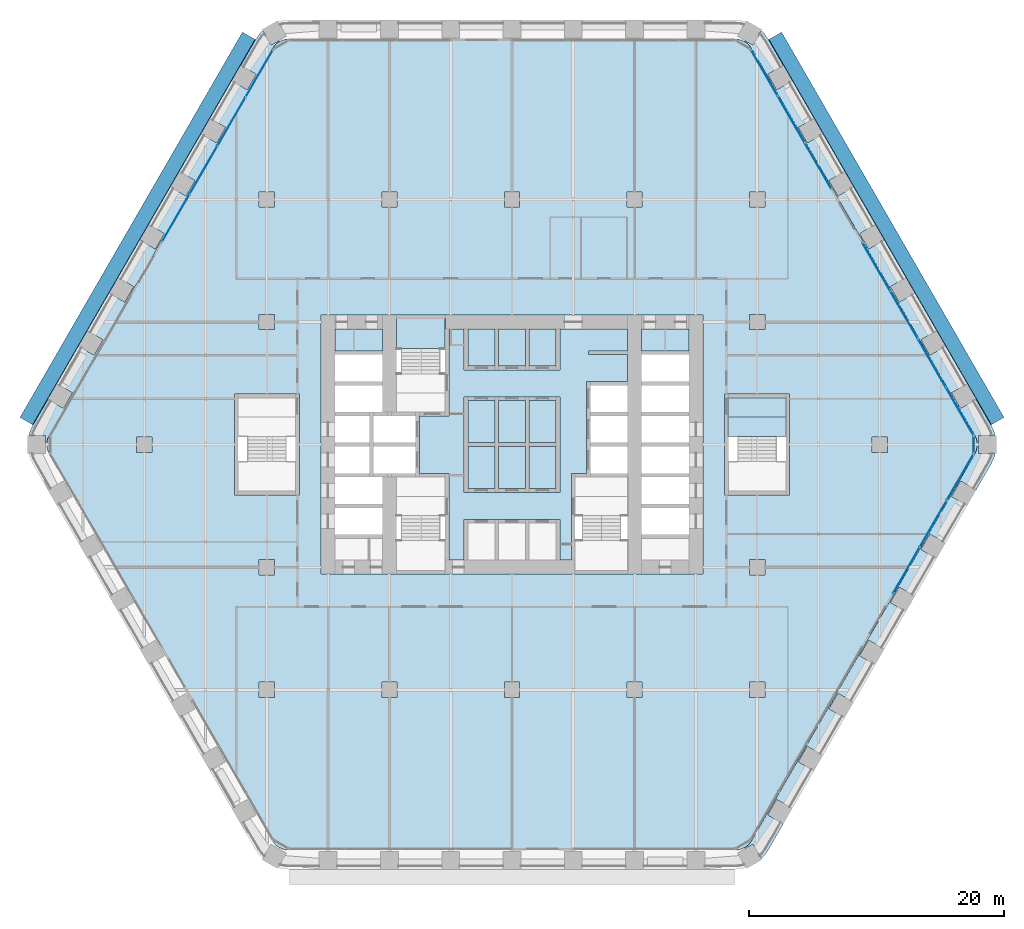
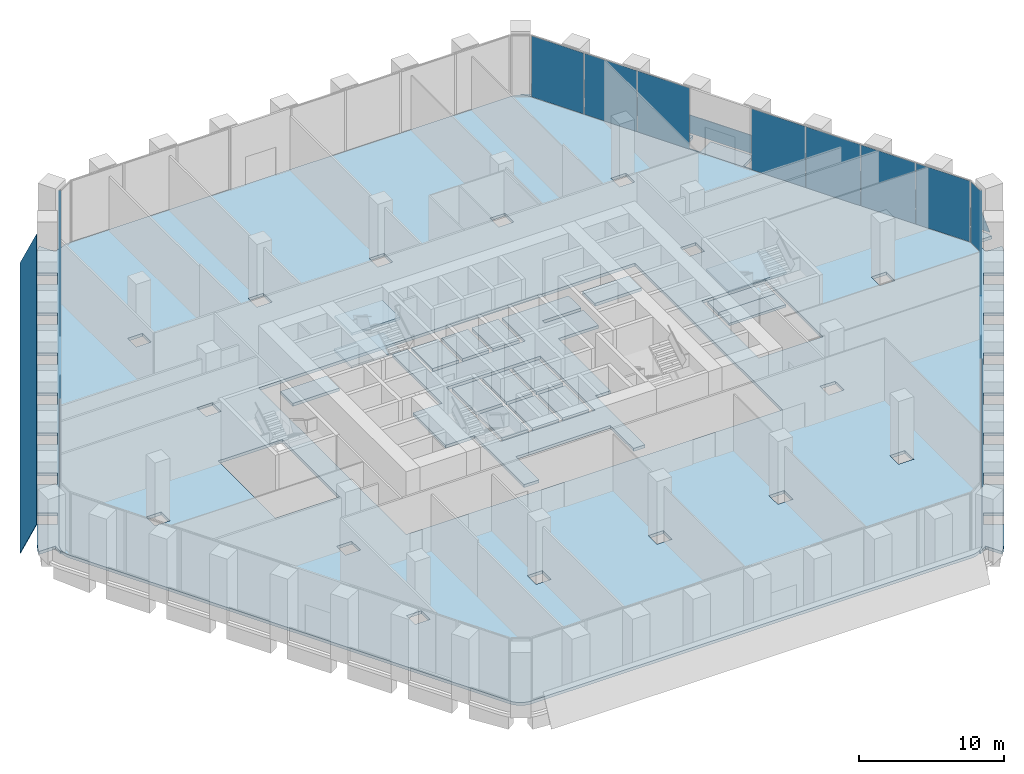
# One storey, part 16 of 27: 21 slabs, 17 plates, 7 elements without a shape of their own.
"""IFC4 building model written with IfcOpenShell, lengths in metres."""

from ifc_helpers import new_model, si_unit, direction, frame, origin, origin_2d, place, context, subcontext, project, spatial, polyline, rectangle, outline, extrude, material, layer, layer_set, type_object, element, aggregate, save


model = new_model("IFC4")

# Units and contexts
model_context = context("Model", 3, precision=1e-05, world=origin(), true_north=direction((0.0, 1.0)))
body_context = subcontext(model_context, "Body", "Model", "MODEL_VIEW")
ifc_project = project(units=[si_unit("LENGTHUNIT", "METRE"), si_unit("AREAUNIT", "SQUARE_METRE"), si_unit("VOLUMEUNIT", "CUBIC_METRE"), si_unit("PLANEANGLEUNIT", "RADIAN"), si_unit("MASSUNIT", "GRAM", prefix="KILO")], contexts=[model_context])

# Site, building, storey
site_placement = place(None, origin())
site = spatial("IfcSite", under=ifc_project, at=site_placement, CompositionType="ELEMENT")
building_placement = place(site_placement, origin())
building = spatial("IfcBuilding", under=site, at=building_placement, Name="Kolab Exchange Tower", CompositionType="ELEMENT")
storey_placement = place(building_placement, frame((0.0, 0.0, 27.89990234375)))
storey = spatial("IfcBuildingStorey", under=building, at=storey_placement, Name="L05", CompositionType="ELEMENT", Elevation=27.89990234375)

# Slabs
ifc_material_1 = material(Name="Concrete C35/45", Category="concrete")
ifc_layer_1 = layer(ifc_material_1, 0.25)
ifc_layer_set_1 = layer_set([ifc_layer_1], Name="Concrete C35/45")
slab_type_1 = type_object("IfcSlabType", Name="FLOOR SLAB 250", PredefinedType="FLOOR", material=ifc_layer_set_1)
slab_1_placement = place(storey_placement, frame((0.0, 0.0, -0.25)))
element("IfcSlab", 1, at=slab_1_placement, inside=storey, type_object=slab_type_1, Name="slab/L05/floor/0", PredefinedType="FLOOR", context=body_context, shape_type="SweptSolid", body=[
    extrude(outline(polyline([(18.76708984375, -31.00537109375), (36.23486328125, -0.75), (36.345458984375, -0.512939453125), (36.4130859375, -0.260498046875), (36.435791015625, 0.0), (36.4130859375, 0.260498046875), (36.345458984375, 0.512939453125), (36.23486328125, 0.75), (18.76708984375, 31.00537109375), (18.616943359375, 31.219482421875), (18.43212890625, 31.404541015625), (18.218017578125, 31.554443359375), (17.98095703125, 31.664794921875), (17.728515625, 31.732666015625), (17.468017578125, 31.75537109375), (-17.468017578125, 31.75537109375), (-17.728515625, 31.732666015625), (-17.98095703125, 31.664794921875), (-18.218017578125, 31.554443359375), (-18.43212890625, 31.404541015625), (-18.616943359375, 31.219482421875), (-18.76708984375, 31.00537109375), (-36.23486328125, 0.75), (-36.345458984375, 0.512939453125), (-36.4130859375, 0.260498046875), (-36.435791015625, 0.0), (-36.4130859375, -0.260498046875), (-36.345458984375, -0.512939453125), (-36.23486328125, -0.75), (-18.76708984375, -31.00537109375), (-18.616943359375, -31.219482421875), (-18.43212890625, -31.404541015625), (-18.218017578125, -31.554443359375), (-17.98095703125, -31.664794921875), (-17.728515625, -31.732666015625), (-17.468017578125, -31.75537109375), (17.468017578125, -31.75537109375), (17.728515625, -31.732666015625), (17.98095703125, -31.664794921875), (18.218017578125, -31.554443359375), (18.43212890625, -31.404541015625), (18.616943359375, -31.219482421875), (18.76708984375, -31.00537109375)]), holes=[polyline([(-19.800048828125, -18.60009765625), (-18.60009765625, -18.60009765625), (-18.60009765625, -19.800048828125), (-19.800048828125, -19.800048828125), (-19.800048828125, -18.60009765625)]), polyline([(-18.60009765625, -9.0), (-18.60009765625, -10.199951171875), (-19.800048828125, -10.199951171875), (-19.800048828125, -9.0), (-18.60009765625, -9.0)]), polyline([(-21.75, -3.949951171875), (-21.75, 3.949951171875), (-21.449951171875, 3.949951171875), (-16.949951171875, 3.949951171875), (-16.64990234375, 3.949951171875), (-16.64990234375, -3.949951171875), (-16.949951171875, -3.949951171875), (-21.449951171875, -3.949951171875), (-21.75, -3.949951171875)]), polyline([(-14.949951171875, 10.14990234375), (-13.85009765625, 10.14990234375), (-10.14990234375, 10.14990234375), (-9.050048828125, 10.14990234375), (-5.25, 10.14990234375), (9.050048828125, 10.14990234375), (10.14990234375, 10.14990234375), (13.85009765625, 10.14990234375), (14.949951171875, 10.14990234375), (14.949951171875, -10.14990234375), (13.85009765625, -10.14990234375), (10.14990234375, -10.14990234375), (9.050048828125, -10.14990234375), (4.949951171875, -10.14990234375), (-5.25, -10.14990234375), (-9.050048828125, -10.14990234375), (-10.14990234375, -10.14990234375), (-13.85009765625, -10.14990234375), (-14.949951171875, -10.14990234375), (-14.949951171875, 10.14990234375)]), polyline([(-28.199951171875, 0.60009765625), (-28.199951171875, -0.60009765625), (-29.39990234375, -0.60009765625), (-29.39990234375, 0.60009765625), (-28.199951171875, 0.60009765625)]), polyline([(-18.60009765625, 10.199951171875), (-18.60009765625, 9.0), (-19.800048828125, 9.0), (-19.800048828125, 10.199951171875), (-18.60009765625, 10.199951171875)]), polyline([(-19.800048828125, 19.800048828125), (-18.60009765625, 19.800048828125), (-18.60009765625, 18.60009765625), (-19.800048828125, 18.60009765625), (-19.800048828125, 19.800048828125)]), polyline([(-9.0, -18.60009765625), (-9.0, -19.800048828125), (-10.199951171875, -19.800048828125), (-10.199951171875, -18.60009765625), (-9.0, -18.60009765625)]), polyline([(-9.0, 19.800048828125), (-9.0, 18.60009765625), (-10.199951171875, 18.60009765625), (-10.199951171875, 19.800048828125), (-9.0, 19.800048828125)]), polyline([(0.60009765625, -18.60009765625), (0.60009765625, -19.800048828125), (-0.60009765625, -19.800048828125), (-0.60009765625, -18.60009765625), (0.60009765625, -18.60009765625)]), polyline([(0.60009765625, 19.800048828125), (0.60009765625, 18.60009765625), (-0.60009765625, 18.60009765625), (-0.60009765625, 19.800048828125), (0.60009765625, 19.800048828125)]), polyline([(10.199951171875, -18.60009765625), (10.199951171875, -19.800048828125), (9.0, -19.800048828125), (9.0, -18.60009765625), (10.199951171875, -18.60009765625)]), polyline([(9.0, 19.800048828125), (10.199951171875, 19.800048828125), (10.199951171875, 18.60009765625), (9.0, 18.60009765625), (9.0, 19.800048828125)]), polyline([(19.800048828125, -18.60009765625), (19.800048828125, -19.800048828125), (18.60009765625, -19.800048828125), (18.60009765625, -18.60009765625), (19.800048828125, -18.60009765625)]), polyline([(19.800048828125, -9.0), (19.800048828125, -10.199951171875), (18.60009765625, -10.199951171875), (18.60009765625, -9.0), (19.800048828125, -9.0)]), polyline([(16.949951171875, -3.949951171875), (16.64990234375, -3.949951171875), (16.64990234375, 3.949951171875), (16.949951171875, 3.949951171875), (21.449951171875, 3.949951171875), (21.75, 3.949951171875), (21.75, -3.949951171875), (21.449951171875, -3.949951171875), (16.949951171875, -3.949951171875)]), polyline([(29.39990234375, 0.60009765625), (29.39990234375, -0.60009765625), (28.199951171875, -0.60009765625), (28.199951171875, 0.60009765625), (29.39990234375, 0.60009765625)]), polyline([(18.60009765625, 10.199951171875), (19.800048828125, 10.199951171875), (19.800048828125, 9.0), (18.60009765625, 9.0), (18.60009765625, 10.199951171875)]), polyline([(18.60009765625, 19.800048828125), (19.800048828125, 19.800048828125), (19.800048828125, 18.60009765625), (18.60009765625, 18.60009765625), (18.60009765625, 19.800048828125)])]), origin(), (0.0, 0.0, 1.0), 0.25),
])
slab_2_placement = place(storey_placement, frame((0.0, 0.0, -0.25)))
element("IfcSlab", 2, at=slab_2_placement, inside=storey, type_object=slab_type_1, Name="slab/L05/floor/1", PredefinedType="FLOOR", context=body_context, shape_type="SweptSolid", body=[
    extrude(outline(polyline([(-5.25, 2.25), (-7.25, 2.25), (-7.25, -2.25), (-5.25, -2.25), (-4.949951171875, -2.25), (-4.949951171875, -9.050048828125), (-3.75, -9.050048828125), (-3.75, -5.85009765625), (-3.449951171875, -5.85009765625), (-1.35009765625, -5.85009765625), (-1.050048828125, -5.85009765625), (1.050048828125, -5.85009765625), (1.35009765625, -5.85009765625), (3.449951171875, -5.85009765625), (3.75, -5.85009765625), (3.75, -9.050048828125), (4.64990234375, -9.050048828125), (4.64990234375, -2.25), (4.949951171875, -2.25), (5.85009765625, -2.25), (5.85009765625, 4.949951171875), (6.14990234375, 4.949951171875), (9.050048828125, 4.949951171875), (9.050048828125, 7.050048828125), (6.0, 7.050048828125), (6.0, 7.35009765625), (9.050048828125, 7.35009765625), (9.050048828125, 9.050048828125), (3.75, 9.050048828125), (3.75, 5.85009765625), (3.449951171875, 5.85009765625), (1.35009765625, 5.85009765625), (1.050048828125, 5.85009765625), (-1.050048828125, 5.85009765625), (-1.35009765625, 5.85009765625), (-3.449951171875, 5.85009765625), (-3.75, 5.85009765625), (-3.75, 9.050048828125), (-4.949951171875, 9.050048828125), (-4.949951171875, 2.25), (-5.25, 2.25)]), holes=[polyline([(-1.35009765625, 3.75), (-1.050048828125, 3.75), (1.050048828125, 3.75), (1.35009765625, 3.75), (3.449951171875, 3.75), (3.75, 3.75), (3.75, -3.75), (3.449951171875, -3.75), (1.35009765625, -3.75), (1.050048828125, -3.75), (-1.050048828125, -3.75), (-1.35009765625, -3.75), (-3.449951171875, -3.75), (-3.75, -3.75), (-3.75, 3.75), (-3.449951171875, 3.75), (-1.35009765625, 3.75)])]), origin(), (0.0, 0.0, 1.0), 0.25),
])
slab_3_placement = place(storey_placement, frame((0.0, 0.0, -0.25)))
element("IfcSlab", 3, at=slab_3_placement, inside=storey, type_object=slab_type_1, Name="slab/L05/floor/2", PredefinedType="FLOOR", context=body_context, shape_type="SweptSolid", body=[
    extrude(outline(polyline([(-3.449951171875, -3.449951171875), (-1.35009765625, -3.449951171875), (-1.35009765625, -0.14990234375), (-3.449951171875, -0.14990234375), (-3.449951171875, -3.449951171875)])), origin(), (0.0, 0.0, 1.0), 0.25),
])
slab_4_placement = place(storey_placement, frame((0.0, 0.0, -0.25)))
element("IfcSlab", 4, at=slab_4_placement, inside=storey, type_object=slab_type_1, Name="slab/L05/floor/3", PredefinedType="FLOOR", context=body_context, shape_type="SweptSolid", body=[
    extrude(outline(polyline([(-1.35009765625, 0.14990234375), (-1.35009765625, 3.449951171875), (-3.449951171875, 3.449951171875), (-3.449951171875, 0.14990234375), (-1.35009765625, 0.14990234375)])), origin(), (0.0, 0.0, 1.0), 0.25),
])
slab_5_placement = place(storey_placement, frame((0.0, 0.0, -0.25)))
element("IfcSlab", 5, at=slab_5_placement, inside=storey, type_object=slab_type_1, Name="slab/L05/floor/4", PredefinedType="FLOOR", context=body_context, shape_type="SweptSolid", body=[
    extrude(outline(polyline([(-1.050048828125, -0.14990234375), (-1.050048828125, -3.449951171875), (1.050048828125, -3.449951171875), (1.050048828125, -0.14990234375), (-1.050048828125, -0.14990234375)])), origin(), (0.0, 0.0, 1.0), 0.25),
])
slab_6_placement = place(storey_placement, frame((0.0, 0.0, -0.25)))
element("IfcSlab", 6, at=slab_6_placement, inside=storey, type_object=slab_type_1, Name="slab/L05/floor/5", PredefinedType="FLOOR", context=body_context, shape_type="SweptSolid", body=[
    extrude(outline(polyline([(-1.050048828125, 3.449951171875), (-1.050048828125, 0.14990234375), (1.050048828125, 0.14990234375), (1.050048828125, 3.449951171875), (-1.050048828125, 3.449951171875)])), origin(), (0.0, 0.0, 1.0), 0.25),
])
slab_7_placement = place(storey_placement, frame((0.0, 0.0, -0.25)))
element("IfcSlab", 7, at=slab_7_placement, inside=storey, type_object=slab_type_1, Name="slab/L05/floor/6", PredefinedType="FLOOR", context=body_context, shape_type="SweptSolid", body=[
    extrude(outline(polyline([(1.35009765625, -3.449951171875), (3.449951171875, -3.449951171875), (3.449951171875, -0.14990234375), (1.35009765625, -0.14990234375), (1.35009765625, -3.449951171875)])), origin(), (0.0, 0.0, 1.0), 0.25),
])
slab_8_placement = place(storey_placement, frame((0.0, 0.0, -0.25)))
element("IfcSlab", 8, at=slab_8_placement, inside=storey, type_object=slab_type_1, Name="slab/L05/floor/7", PredefinedType="FLOOR", context=body_context, shape_type="SweptSolid", body=[
    extrude(outline(polyline([(1.35009765625, 0.14990234375), (3.449951171875, 0.14990234375), (3.449951171875, 3.449951171875), (1.35009765625, 3.449951171875), (1.35009765625, 0.14990234375)])), origin(), (0.0, 0.0, 1.0), 0.25),
])
slab_9_placement = place(storey_placement, frame((0.0, 0.0, -0.25)))
element("IfcSlab", 9, at=slab_9_placement, inside=storey, type_object=slab_type_1, Name="slab/L05/floor/9", PredefinedType="FLOOR", context=body_context, shape_type="SweptSolid", body=[
    extrude(outline(polyline([(21.449951171875, 3.64990234375), (16.949951171875, 3.64990234375), (16.949951171875, 2.14990234375), (21.449951171875, 2.14990234375), (21.449951171875, 3.64990234375)])), origin(), (0.0, 0.0, 1.0), 0.25),
])
slab_10_placement = place(storey_placement, frame((0.0, 0.0, -0.25)))
element("IfcSlab", 10, at=slab_10_placement, inside=storey, type_object=slab_type_1, Name="slab/L05/floor/11", PredefinedType="FLOOR", context=body_context, shape_type="SweptSolid", body=[
    extrude(outline(polyline([(-13.85009765625, 7.35009765625), (-10.14990234375, 7.35009765625), (-10.14990234375, 9.050048828125), (-13.85009765625, 9.050048828125), (-13.85009765625, 7.35009765625)])), origin(), (0.0, 0.0, 1.0), 0.25),
])
slab_11_placement = place(storey_placement, frame((0.0, 0.0, -0.25)))
element("IfcSlab", 11, at=slab_11_placement, inside=storey, type_object=slab_type_1, Name="slab/L05/floor/13", PredefinedType="FLOOR", context=body_context, shape_type="SweptSolid", body=[
    extrude(outline(polyline([(10.14990234375, 7.35009765625), (13.85009765625, 7.35009765625), (13.85009765625, 9.050048828125), (10.14990234375, 9.050048828125), (10.14990234375, 7.35009765625)])), origin(), (0.0, 0.0, 1.0), 0.25),
])
slab_12_placement = place(storey_placement, frame((0.0, 0.0, -0.25)))
element("IfcSlab", 12, at=slab_12_placement, inside=storey, type_object=slab_type_1, Name="slab/L05/floor/16", PredefinedType="FLOOR", context=body_context, shape_type="SweptSolid", body=[
    extrude(outline(polyline([(-1.050048828125, 9.050048828125), (-1.050048828125, 6.14990234375), (1.050048828125, 6.14990234375), (1.050048828125, 9.050048828125), (-1.050048828125, 9.050048828125)])), origin(), (0.0, 0.0, 1.0), 0.25),
])
slab_13_placement = place(storey_placement, frame((0.0, 0.0, -0.25)))
element("IfcSlab", 13, at=slab_13_placement, inside=storey, type_object=slab_type_1, Name="slab/L05/floor/18", PredefinedType="FLOOR", context=body_context, shape_type="SweptSolid", body=[
    extrude(outline(polyline([(-1.35009765625, 6.14990234375), (-1.35009765625, 9.050048828125), (-3.449951171875, 9.050048828125), (-3.449951171875, 6.14990234375), (-1.35009765625, 6.14990234375)])), origin(), (0.0, 0.0, 1.0), 0.25),
])
slab_14_placement = place(storey_placement, frame((0.0, 0.0, -0.25)))
element("IfcSlab", 14, at=slab_14_placement, inside=storey, type_object=slab_type_1, Name="slab/L05/floor/20", PredefinedType="FLOOR", context=body_context, shape_type="SweptSolid", body=[
    extrude(outline(polyline([(1.35009765625, 6.14990234375), (3.449951171875, 6.14990234375), (3.449951171875, 9.050048828125), (1.35009765625, 9.050048828125), (1.35009765625, 6.14990234375)])), origin(), (0.0, 0.0, 1.0), 0.25),
])
ifc_layer_2 = layer(ifc_material_1, 0.25)
ifc_layer_set_2 = layer_set([ifc_layer_2], Name="Concrete C35/45")
slab_type_2 = type_object("IfcSlabType", Name="LOGGIA SLAB 250", PredefinedType="FLOOR", material=ifc_layer_set_2)
slab_15_placement = place(storey_placement, frame((0.0, 0.0, -0.25)))
element("IfcSlab", 15, at=slab_15_placement, inside=storey, type_object=slab_type_2, Name="slab/L05/loggia/1-0", PredefinedType="FLOOR", context=body_context, shape_type="SweptSolid", body=[
    extrude(outline(polyline([(36.435791015625, 0.0), (36.535888671875, 0.0), (36.535888671875, 0.699951171875), (37.84228515625, 0.699951171875), (37.7548828125, 1.026123046875), (37.533935546875, 1.5), (36.35009765625, 3.55078125), (35.137451171875, 2.8505859375), (34.4375, 4.063232421875), (35.64990234375, 4.76318359375), (33.949951171875, 7.70751953125), (32.737548828125, 7.007568359375), (32.03759765625, 8.219970703125), (33.25, 8.920166015625), (31.550048828125, 11.864501953125), (30.337646484375, 11.16455078125), (29.637451171875, 12.376953125), (30.85009765625, 13.076904296875), (29.14990234375, 16.021484375), (27.9375, 15.321533203125), (27.237548828125, 16.533935546875), (28.449951171875, 17.23388671875), (26.75, 20.178466796875), (25.53759765625, 19.478271484375), (24.837646484375, 20.69091796875), (26.050048828125, 21.390869140625), (24.35009765625, 24.335205078125), (23.137451171875, 23.63525390625), (22.4375, 24.84765625), (23.64990234375, 25.5478515625), (21.949951171875, 28.4921875), (20.737548828125, 27.792236328125), (20.03759765625, 29.004638671875), (21.25, 29.70458984375), (20.06591796875, 31.75537109375), (19.76611328125, 32.183837890625), (19.52734375, 32.42236328125), (18.874267578125, 31.291015625), (18.26806640625, 31.64111328125), (18.218017578125, 31.554443359375), (18.43212890625, 31.404541015625), (18.616943359375, 31.219482421875), (18.76708984375, 31.00537109375), (36.23486328125, 0.75), (36.345458984375, 0.512939453125), (36.4130859375, 0.260498046875), (36.435791015625, 0.0)])), origin(), (0.0, 0.0, 1.0), 0.25),
])
slab_16_placement = place(storey_placement, frame((0.0, 0.0, -0.25)))
element("IfcSlab", 16, at=slab_16_placement, inside=storey, type_object=slab_type_2, Name="slab/L05/loggia/2-0", PredefinedType="FLOOR", context=body_context, shape_type="SweptSolid", body=[
    extrude(outline(polyline([(20.06591796875, -31.75537109375), (21.25, -29.70458984375), (20.03759765625, -29.004638671875), (20.737548828125, -27.792236328125), (21.949951171875, -28.4921875), (23.64990234375, -25.5478515625), (22.4375, -24.84765625), (23.137451171875, -23.63525390625), (24.35009765625, -24.335205078125), (26.050048828125, -21.390869140625), (24.837646484375, -20.69091796875), (25.53759765625, -19.478271484375), (26.75, -20.178466796875), (28.449951171875, -17.23388671875), (27.237548828125, -16.533935546875), (27.9375, -15.321533203125), (29.14990234375, -16.021484375), (30.85009765625, -13.076904296875), (29.637451171875, -12.376953125), (30.337646484375, -11.16455078125), (31.550048828125, -11.864501953125), (33.25, -8.920166015625), (32.03759765625, -8.219970703125), (32.737548828125, -7.007568359375), (33.949951171875, -7.70751953125), (35.64990234375, -4.76318359375), (34.4375, -4.063232421875), (35.137451171875, -2.8505859375), (36.35009765625, -3.55078125), (37.533935546875, -1.5), (37.7548828125, -1.026123046875), (37.84228515625, -0.699951171875), (36.535888671875, -0.699951171875), (36.535888671875, 0.0), (36.435791015625, 0.0), (36.4130859375, -0.260498046875), (36.345458984375, -0.512939453125), (36.23486328125, -0.75), (18.76708984375, -31.00537109375), (18.616943359375, -31.219482421875), (18.43212890625, -31.404541015625), (18.218017578125, -31.554443359375), (18.26806640625, -31.64111328125), (18.874267578125, -31.291015625), (19.52734375, -32.42236328125), (19.76611328125, -32.183837890625), (20.06591796875, -31.75537109375)])), origin(), (0.0, 0.0, 1.0), 0.25),
])
slab_17_placement = place(storey_placement, frame((0.0, 0.0, -0.25)))
element("IfcSlab", 17, at=slab_17_placement, inside=storey, type_object=slab_type_2, Name="slab/L05/loggia/5-0", PredefinedType="FLOOR", context=body_context, shape_type="SweptSolid", body=[
    extrude(outline(polyline([(-18.218017578125, 31.554443359375), (-18.26806640625, 31.64111328125), (-18.874267578125, 31.291015625), (-19.52734375, 32.42236328125), (-19.76611328125, 32.183837890625), (-20.06591796875, 31.75537109375), (-21.25, 29.70458984375), (-20.03759765625, 29.004638671875), (-20.737548828125, 27.792236328125), (-21.949951171875, 28.4921875), (-23.64990234375, 25.5478515625), (-22.4375, 24.84765625), (-23.137451171875, 23.63525390625), (-24.35009765625, 24.335205078125), (-26.050048828125, 21.390869140625), (-24.837646484375, 20.69091796875), (-25.53759765625, 19.478271484375), (-26.75, 20.178466796875), (-28.449951171875, 17.23388671875), (-27.237548828125, 16.533935546875), (-27.9375, 15.321533203125), (-29.14990234375, 16.021484375), (-30.85009765625, 13.076904296875), (-29.637451171875, 12.376953125), (-30.337646484375, 11.16455078125), (-31.550048828125, 11.864501953125), (-33.25, 8.920166015625), (-32.03759765625, 8.219970703125), (-32.737548828125, 7.007568359375), (-33.949951171875, 7.70751953125), (-35.64990234375, 4.76318359375), (-34.4375, 4.063232421875), (-35.137451171875, 2.8505859375), (-36.35009765625, 3.55078125), (-37.533935546875, 1.5), (-37.7548828125, 1.026123046875), (-37.84228515625, 0.699951171875), (-36.535888671875, 0.699951171875), (-36.535888671875, 0.0), (-36.435791015625, 0.0), (-36.4130859375, 0.260498046875), (-36.345458984375, 0.512939453125), (-36.23486328125, 0.75), (-18.76708984375, 31.00537109375), (-18.616943359375, 31.219482421875), (-18.43212890625, 31.404541015625), (-18.218017578125, 31.554443359375)])), origin(), (0.0, 0.0, 1.0), 0.25),
])

# Plates
ifc_material_2 = material(Name="Laminated glass, clear", Category="glass")
ifc_layer_3 = layer(ifc_material_2, 0.0400390625)
ifc_layer_set_3 = layer_set([ifc_layer_3], Name="Laminated glass, clear")
plate_type_1 = type_object("IfcPlateType", Name="OUTER SKIN LAMINATED GLASS SHEET 40", PredefinedType="SHEET", material=ifc_layer_set_3)
plate_1_placement = place(storey_placement, frame((21.11279296875, 32.302001953125, -0.782958984375), z_axis=(0.784872769673, 0.453148092024, 0.422648248689), x_axis=(0.500001313459, -0.866024645457, 0.0)))
element("IfcPlate", 18, at=plate_1_placement, inside=storey, type_object=plate_type_1, Name="Outer skin", PredefinedType="SHEET", context=body_context, shape_type="SweptSolid", body=[
    extrude(outline(polyline([(0.0, 0.0), (34.83584598906518, 0.0), (34.83577870170086, -2.7059575705201855), (-6.728736431932392e-05, -2.705957570520185), (0.0, 0.0)])), origin(), (0.0, 0.0, -1.0), 0.0400390625),
])
plate_2_placement = place(storey_placement, frame((-38.53076171875, 2.13330078125, -0.782958984375), z_axis=(-0.784872769673, 0.453148092024, 0.422648248689), x_axis=(0.500001313459, 0.866024645457, 0.0)))
element("IfcPlate", 19, at=plate_2_placement, inside=storey, type_object=plate_type_1, Name="Outer skin", PredefinedType="SHEET", context=body_context, shape_type="SweptSolid", body=[
    extrude(outline(polyline([(0.0, 0.0), (34.83584598906518, 0.0), (34.8359132764295, -2.7059575705201846), (6.728736431932392e-05, -2.705957570520185), (0.0, 0.0)])), origin(), (0.0, 0.0, -1.0), 0.0400390625),
])

# Stair, slabs
ifc_material_3 = material(Name="Concrete C50/60", Category="concrete")
stair_type_1 = type_object("IfcStairType", Name="STAIR ST1 RISER 171.9", PredefinedType="DOUBLE_RETURN_STAIR", material=ifc_material_3)
stair_1_placement = place(storey_placement, origin())
stair_1 = element("IfcStair", 20, at=stair_1_placement, inside=storey, type_object=stair_type_1, Name="Stair 1", PredefinedType="DOUBLE_RETURN_STAIR")
ifc_layer_4 = layer(ifc_material_3, 0.199951171875)
ifc_layer_set_4 = layer_set([ifc_layer_4], Name="Concrete C50/60")
slab_type_3 = type_object("IfcSlabType", Name="STAIR LANDING 200", PredefinedType="LANDING", material=ifc_layer_set_4)
slab_18_placement = place(storey_placement, frame((0.0, 0.0, 1.175048828125)))
slab_18 = element("IfcSlab", 21, at=slab_18_placement, type_object=slab_type_3, Name="ST1 landing 2", PredefinedType="LANDING", context=body_context, shape_type="SweptSolid", body=[
    extrude(outline(polyline([(-9.110107421875, 7.510009765625), (-5.18994140625, 7.510009765625), (-5.18994140625, 9.909912109375), (-9.110107421875, 9.909912109375), (-9.110107421875, 7.510009765625)])), origin(), (0.0, 0.0, 1.0), 0.199951171875),
])
slab_19_placement = place(storey_placement, frame((0.0, 0.0, 3.925048828125)))
slab_19 = element("IfcSlab", 22, at=slab_19_placement, type_object=slab_type_3, Name="ST1 landing 4", PredefinedType="LANDING", context=body_context, shape_type="SweptSolid", body=[
    extrude(outline(polyline([(-9.050048828125, 7.510009765625), (-5.25, 7.510009765625), (-5.25, 9.909912109375), (-9.050048828125, 9.909912109375), (-9.050048828125, 7.510009765625)])), origin(), (0.0, 0.0, 1.0), 0.199951171875),
])
aggregate(stair_1, [slab_18, slab_19])

stair_type_2 = type_object("IfcStairType", Name="STAIR ST4 RISER 171.9", PredefinedType="DOUBLE_RETURN_STAIR", material=ifc_material_3)
stair_2_placement = place(storey_placement, origin())
stair_2 = element("IfcStair", 23, at=stair_2_placement, inside=storey, type_object=stair_type_2, Name="Stair 4", PredefinedType="DOUBLE_RETURN_STAIR")
slab_20_placement = place(storey_placement, frame((0.0, 0.0, -0.199951171875)))
slab_20 = element("IfcSlab", 24, at=slab_20_placement, type_object=slab_type_3, Name="ST4 landing 1", PredefinedType="LANDING", context=body_context, shape_type="SweptSolid", body=[
    extrude(outline(polyline([(16.949951171875, 0.64990234375), (21.449951171875, 0.64990234375), (21.449951171875, 2.14990234375), (16.949951171875, 2.14990234375), (16.949951171875, 0.64990234375)])), origin(), (0.0, 0.0, 1.0), 0.199951171875),
])
slab_21_placement = place(storey_placement, frame((0.0, 0.0, 2.550048828125)))
slab_21 = element("IfcSlab", 25, at=slab_21_placement, type_object=slab_type_3, Name="ST4 landing 3", PredefinedType="LANDING", context=body_context, shape_type="SweptSolid", body=[
    extrude(outline(polyline([(16.889892578125, 0.64990234375), (21.510009765625, 0.64990234375), (21.510009765625, 3.7099609375), (16.889892578125, 3.7099609375), (16.889892578125, 0.64990234375)])), origin(), (0.0, 0.0, 1.0), 0.199951171875),
])
aggregate(stair_2, [slab_20, slab_21])

# Curtain wall, plates
ifc_material_4 = material(Name="Aluminium EN AW-6063 T6", Category="aluminium")
curtain_wall_type = type_object("IfcCurtainWallType", Name="UNITISED LOW ZONE CURTAIN WALL", PredefinedType="NOTDEFINED", material=ifc_material_4)
curtain_wall_1_placement = place(storey_placement, origin())
curtain_wall_1 = element("IfcCurtainWall", 26, at=curtain_wall_1_placement, inside=storey, type_object=curtain_wall_type, Name="cw/L05/F2-1", PredefinedType="NOTDEFINED")
ifc_material_5 = material(Name="Clear insulated glazing unit", Category="glass")
ifc_layer_5 = layer(ifc_material_5, 0.02392578125)
ifc_layer_set_5 = layer_set([ifc_layer_5], Name="Clear insulated glazing unit")
plate_type_2 = type_object("IfcPlateType", Name="UNITISED LOW ZONE GLASS PANEL 24", PredefinedType="CURTAIN_PANEL", material=ifc_layer_set_5)
plate_3_placement = place(storey_placement, frame((19.760986328125, 29.1240234375, 0.06005859375), z_axis=(0.0, 0.0, 1.0), x_axis=(0.500000017564, -0.866025393644, 0.0)))
plate_3 = element("IfcPlate", 27, at=plate_3_placement, type_object=plate_type_2, Name="CW1 panel 1.1", PredefinedType="CURTAIN_PANEL", context=body_context, shape_type="SweptSolid", body=[
    extrude(rectangle(XDim=4.132568359375, YDim=0.02392578125, at=origin_2d()), origin(), (0.0, 0.0, 1.0), 5.1298828125),
])
plate_4_placement = place(storey_placement, frame((21.86474609375, 25.47998046875, 0.06005859375), z_axis=(0.0, 0.0, 1.0), x_axis=(0.500000017564, -0.866025393644, 0.0)))
plate_4 = element("IfcPlate", 28, at=plate_4_placement, type_object=plate_type_2, Name="CW1 panel 2.1", PredefinedType="CURTAIN_PANEL", context=body_context, shape_type="SweptSolid", body=[
    extrude(rectangle(XDim=4.16259765625, YDim=0.02392578125, at=origin_2d()), origin(), (0.0, 0.0, 1.0), 5.1298828125),
])
plate_5_placement = place(storey_placement, frame((23.968505859375, 21.836181640625, 0.06005859375), z_axis=(0.0, 0.0, 1.0), x_axis=(0.500000017564, -0.866025393644, 0.0)))
plate_5 = element("IfcPlate", 29, at=plate_5_placement, type_object=plate_type_2, Name="CW1 panel 3.1", PredefinedType="CURTAIN_PANEL", context=body_context, shape_type="SweptSolid", body=[
    extrude(rectangle(XDim=4.132568359375, YDim=0.02392578125, at=origin_2d()), origin(), (0.0, 0.0, 1.0), 5.1298828125),
])
aggregate(curtain_wall_1, [plate_3, plate_4, plate_5])

curtain_wall_2_placement = place(storey_placement, origin())
curtain_wall_2 = element("IfcCurtainWall", 30, at=curtain_wall_2_placement, inside=storey, type_object=curtain_wall_type, Name="cw/L05/F2-2", PredefinedType="NOTDEFINED")
plate_6_placement = place(storey_placement, frame((28.531005859375, 13.933837890625, 0.06005859375), z_axis=(0.0, 0.0, 1.0), x_axis=(0.499999968274, -0.866025422102, 0.0)))
plate_6 = element("IfcPlate", 31, at=plate_6_placement, type_object=plate_type_2, Name="CW1 panel 1.1", PredefinedType="CURTAIN_PANEL", context=body_context, shape_type="SweptSolid", body=[
    extrude(rectangle(XDim=4.277099609375, YDim=0.02392578125, at=origin_2d()), origin(), (0.0, 0.0, 1.0), 5.1298828125),
])
plate_7_placement = place(storey_placement, frame((30.70703125, 10.164794921875, 0.06005859375), z_axis=(0.0, 0.0, 1.0), x_axis=(0.499999968274, -0.866025422102, 0.0)))
plate_7 = element("IfcPlate", 32, at=plate_7_placement, type_object=plate_type_2, Name="CW1 panel 2.1", PredefinedType="CURTAIN_PANEL", context=body_context, shape_type="SweptSolid", body=[
    extrude(rectangle(XDim=4.306884765625, YDim=0.02392578125, at=origin_2d()), origin(), (0.0, 0.0, 1.0), 5.1298828125),
])
plate_8_placement = place(storey_placement, frame((32.890380859375, 6.3828125, 0.06005859375), z_axis=(0.0, 0.0, 1.0), x_axis=(0.499999968274, -0.866025422102, 0.0)))
plate_8 = element("IfcPlate", 33, at=plate_8_placement, type_object=plate_type_2, Name="CW1 panel 3.1", PredefinedType="CURTAIN_PANEL", context=body_context, shape_type="SweptSolid", body=[
    extrude(rectangle(XDim=4.306884765625, YDim=0.02392578125, at=origin_2d()), origin(), (0.0, 0.0, 1.0), 5.1298828125),
])
plate_9_placement = place(storey_placement, frame((35.06640625, 2.614013671875, 0.06005859375), z_axis=(0.0, 0.0, 1.0), x_axis=(0.499999968274, -0.866025422102, 0.0)))
plate_9 = element("IfcPlate", 34, at=plate_9_placement, type_object=plate_type_2, Name="CW1 panel 4.1", PredefinedType="CURTAIN_PANEL", context=body_context, shape_type="SweptSolid", body=[
    extrude(rectangle(XDim=4.277099609375, YDim=0.02392578125, at=origin_2d()), origin(), (0.0, 0.0, 1.0), 5.1298828125),
])
aggregate(curtain_wall_2, [plate_6, plate_7, plate_8, plate_9])

curtain_wall_3_placement = place(storey_placement, origin())
curtain_wall_3 = element("IfcCurtainWall", 35, at=curtain_wall_3_placement, inside=storey, type_object=curtain_wall_type, Name="cw/L05/F3-1", PredefinedType="NOTDEFINED")
plate_10_placement = place(storey_placement, frame((35.1025390625, -2.551513671875, 0.06005859375), z_axis=(0.0, 0.0, 1.0), x_axis=(-0.499999958358, -0.866025427826, 0.0)))
plate_10 = element("IfcPlate", 36, at=plate_10_placement, type_object=plate_type_2, Name="CW1 panel 1.1", PredefinedType="CURTAIN_PANEL", context=body_context, shape_type="SweptSolid", body=[
    extrude(rectangle(XDim=4.132568359375, YDim=0.02392578125, at=origin_2d()), origin(), (0.0, 0.0, 1.0), 5.1298828125),
])
plate_11_placement = place(storey_placement, frame((32.998779296875, -6.1953125, 0.06005859375), z_axis=(0.0, 0.0, 1.0), x_axis=(-0.499999958358, -0.866025427826, 0.0)))
plate_11 = element("IfcPlate", 37, at=plate_11_placement, type_object=plate_type_2, Name="CW1 panel 2.1", PredefinedType="CURTAIN_PANEL", context=body_context, shape_type="SweptSolid", body=[
    extrude(rectangle(XDim=4.16259765625, YDim=0.02392578125, at=origin_2d()), origin(), (0.0, 0.0, 1.0), 5.1298828125),
])
plate_12_placement = place(storey_placement, frame((30.894775390625, -9.83935546875, 0.06005859375), z_axis=(0.0, 0.0, 1.0), x_axis=(-0.499999958358, -0.866025427826, 0.0)))
plate_12 = element("IfcPlate", 38, at=plate_12_placement, type_object=plate_type_2, Name="CW1 panel 3.1", PredefinedType="CURTAIN_PANEL", context=body_context, shape_type="SweptSolid", body=[
    extrude(rectangle(XDim=4.132568359375, YDim=0.02392578125, at=origin_2d()), origin(), (0.0, 0.0, 1.0), 5.1298828125),
])
aggregate(curtain_wall_3, [plate_10, plate_11, plate_12])

curtain_wall_4_placement = place(storey_placement, origin())
curtain_wall_4 = element("IfcCurtainWall", 39, at=curtain_wall_4_placement, inside=storey, type_object=curtain_wall_type, Name="cw/L05/F6-2", PredefinedType="NOTDEFINED")
plate_13_placement = place(storey_placement, frame((-26.33251953125, 17.74169921875, 0.06005859375), z_axis=(0.0, 0.0, 1.0), x_axis=(0.5000000112, 0.866025397318, 0.0)))
plate_13 = element("IfcPlate", 40, at=plate_13_placement, type_object=plate_type_2, Name="CW1 panel 1.1", PredefinedType="CURTAIN_PANEL", context=body_context, shape_type="SweptSolid", body=[
    extrude(rectangle(XDim=4.277099609375, YDim=0.02392578125, at=origin_2d()), origin(), (0.0, 0.0, 1.0), 5.1298828125),
])
plate_14_placement = place(storey_placement, frame((-24.156494140625, 21.510498046875, 0.06005859375), z_axis=(0.0, 0.0, 1.0), x_axis=(0.5000000112, 0.866025397318, 0.0)))
plate_14 = element("IfcPlate", 41, at=plate_14_placement, type_object=plate_type_2, Name="CW1 panel 2.1", PredefinedType="CURTAIN_PANEL", context=body_context, shape_type="SweptSolid", body=[
    extrude(rectangle(XDim=4.306884765625, YDim=0.02392578125, at=origin_2d()), origin(), (0.0, 0.0, 1.0), 5.1298828125),
])
plate_15_placement = place(storey_placement, frame((-21.972900390625, 25.29248046875, 0.06005859375), z_axis=(0.0, 0.0, 1.0), x_axis=(0.5000000112, 0.866025397318, 0.0)))
plate_15 = element("IfcPlate", 42, at=plate_15_placement, type_object=plate_type_2, Name="CW1 panel 3.1", PredefinedType="CURTAIN_PANEL", context=body_context, shape_type="SweptSolid", body=[
    extrude(rectangle(XDim=4.306884765625, YDim=0.02392578125, at=origin_2d()), origin(), (0.0, 0.0, 1.0), 5.1298828125),
])
plate_16_placement = place(storey_placement, frame((-19.796875, 29.0615234375, 0.06005859375), z_axis=(0.0, 0.0, 1.0), x_axis=(0.5000000112, 0.866025397318, 0.0)))
plate_16 = element("IfcPlate", 43, at=plate_16_placement, type_object=plate_type_2, Name="CW1 panel 4.1", PredefinedType="CURTAIN_PANEL", context=body_context, shape_type="SweptSolid", body=[
    extrude(rectangle(XDim=4.277099609375, YDim=0.02392578125, at=origin_2d()), origin(), (0.0, 0.0, 1.0), 5.1298828125),
])
aggregate(curtain_wall_4, [plate_13, plate_14, plate_15, plate_16])

# Curtain wall, plate
curtain_wall_5_placement = place(storey_placement, origin())
curtain_wall_5 = element("IfcCurtainWall", 44, at=curtain_wall_5_placement, inside=storey, type_object=curtain_wall_type, Name="cw/L05/F2F3-corner", PredefinedType="NOTDEFINED")
plate_17_placement = place(storey_placement, frame((36.165771484375, 0.0, 0.06005859375), z_axis=(0.0, 0.0, 1.0), x_axis=(0.0, -1.0, 0.0)))
plate_17 = element("IfcPlate", 45, at=plate_17_placement, type_object=plate_type_2, Name="CW1 panel 1.1", PredefinedType="CURTAIN_PANEL", context=body_context, shape_type="SweptSolid", body=[
    extrude(rectangle(XDim=1.300048828125, YDim=0.02392578125, at=origin_2d()), origin(), (0.0, 0.0, 1.0), 5.1298828125),
])
aggregate(curtain_wall_5, [plate_17])

save(model, "model.ifc")
